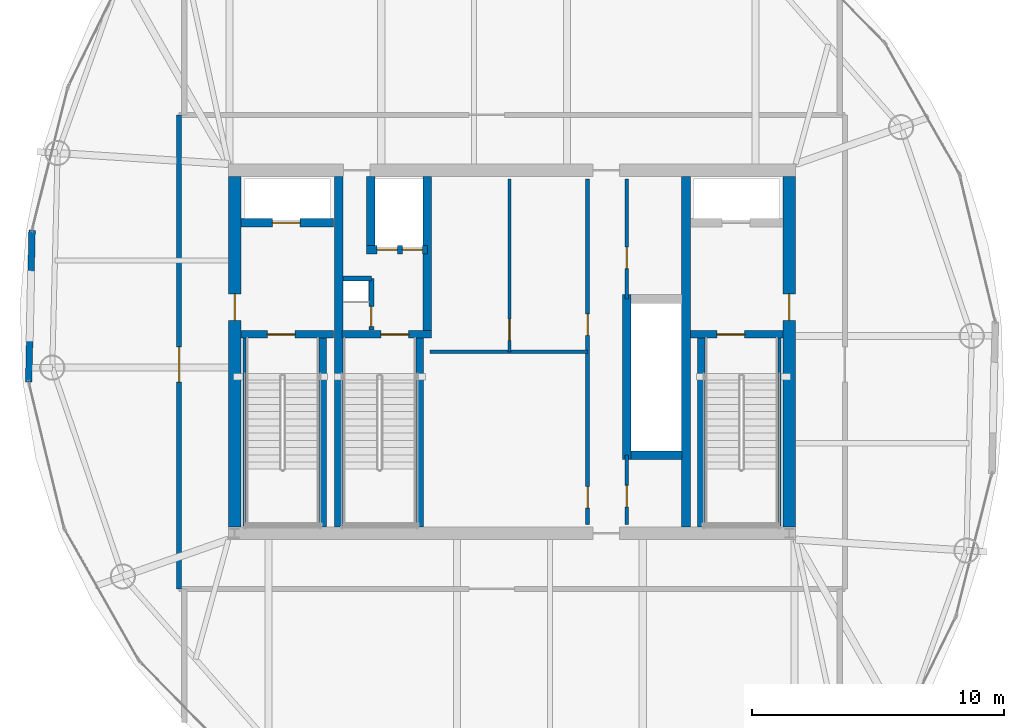
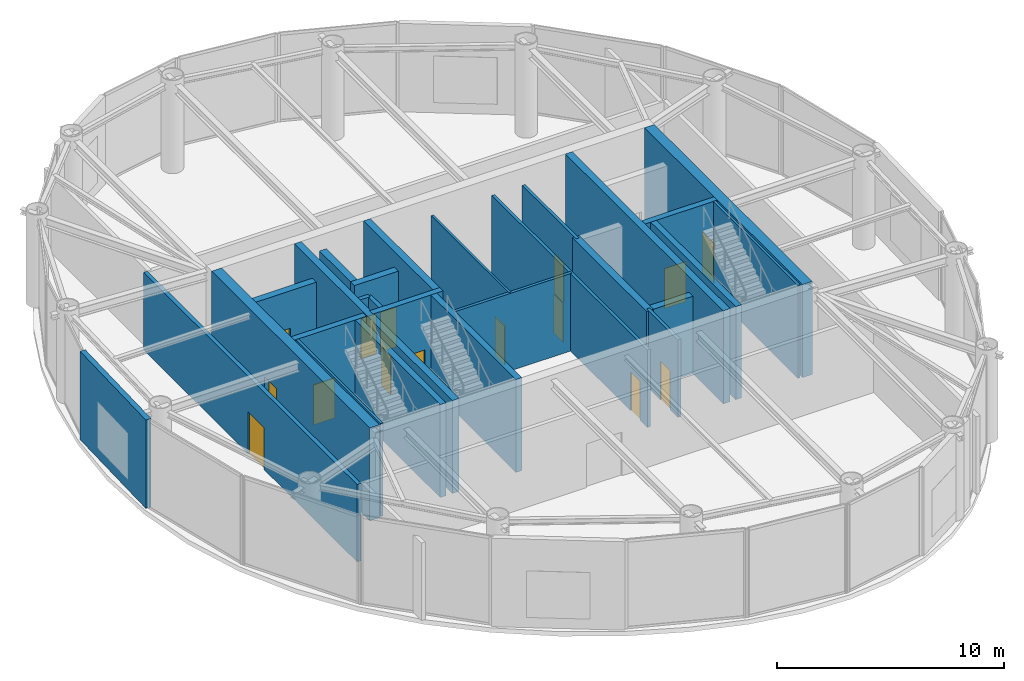
# One storey, part 18 of 23: 27 walls, 15 doors, 15 openings.
"""IFC4 building model written with IfcOpenShell, lengths in metres."""

from ifc_helpers import new_model, si_unit, direction, frame, frame_2d, origin, place, context, subcontext, project, spatial, rectangle, extrude, material, layer, layer_set, type_object, element, fill, save


model = new_model("IFC4")

# Units and contexts
model_context = context("Model", 3, precision=1e-05, world=origin(), true_north=direction((0.0, 1.0)))
body_context = subcontext(model_context, "Body", "Model", "MODEL_VIEW")
ifc_project = project(units=[si_unit("LENGTHUNIT", "METRE"), si_unit("AREAUNIT", "SQUARE_METRE"), si_unit("VOLUMEUNIT", "CUBIC_METRE"), si_unit("PLANEANGLEUNIT", "RADIAN"), si_unit("MASSUNIT", "GRAM", prefix="KILO")], contexts=[model_context])

# Site, building, storey
site_placement = place(None, origin())
site = spatial("IfcSite", under=ifc_project, at=site_placement, CompositionType="ELEMENT")
building_placement = place(site_placement, origin())
building = spatial("IfcBuilding", under=site, at=building_placement, Name="Bramvorn Convention Spire", CompositionType="ELEMENT")
storey_placement = place(building_placement, frame((0.0, 0.0, 307.5)))
storey = spatial("IfcBuildingStorey", under=building, at=storey_placement, Name="L78", CompositionType="ELEMENT", Elevation=307.5)

# Wall, opening, door
ifc_material_1 = material(Name="Concrete C50/60", Category="concrete")
ifc_layer_1 = layer(ifc_material_1, 0.5)
ifc_layer_set_1 = layer_set([ifc_layer_1], Name="Concrete C50/60 - WL-CORE-500")
wall_type_1 = type_object("IfcWallType", Name="WL-CORE-500", PredefinedType="SHEAR", material=ifc_layer_set_1)
wall_1_placement = place(storey_placement, frame((27.0, 19.050048828125, 0.0), z_axis=(0.0, 0.0, 1.0), x_axis=(0.0, 1.0, 0.0)))
wall_1 = element("IfcWall", 1, at=wall_1_placement, inside=storey, type_object=wall_type_1, Name="L78 West RC core shear wall", PredefinedType="SHEAR", context=body_context, shape_type="SweptSolid", body=[
    extrude(rectangle(XDim=13.89990234375, YDim=0.5, at=frame_2d((6.949951171875, 0.0))), origin(), (0.0, 0.0, 1.0), 5.0),
])
opening_1_placement = place(wall_1_placement, frame((8.199951171875, 0.0, 0.0)))
opening_1 = element("IfcOpeningElement", 2, at=opening_1_placement, cuts=wall_1, Name="Opening DL-105", PredefinedType="OPENING", context=body_context, shape_type="SweptSolid", body=[
    extrude(rectangle(XDim=1.050048828125, YDim=2.14990234375, at=frame_2d((0.52490234375, 1.074951171875))), frame((0.0, 0.260009765625, 0.0), z_axis=(0.0, -1.0, 0.0), x_axis=(1.0, 0.0, 0.0)), (0.0, 0.0, 1.0), 0.52001953125),
])
ifc_material_2 = material(Name="Smoke-Sealed Fire Lobby Timber-Core Door", Category="wood")
door_type_1 = type_object("IfcDoorType", Name="DR-LOBBY-1050", OperationType="NOTDEFINED", PredefinedType="DOOR", material=ifc_material_2)
door_1_placement = place(opening_1_placement, origin())
door_1 = element("IfcDoor", 3, at=door_1_placement, inside=storey, type_object=door_type_1, Name="L78 West Firefighting Lobby corridor door", OperationType="SINGLE_SWING_RIGHT", OverallHeight=2.14990234375, OverallWidth=1.050048828125, PredefinedType="DOOR", context=body_context, shape_type="SweptSolid", body=[
    extrude(rectangle(XDim=1.050048828125, YDim=2.14990234375, at=frame_2d((0.52490234375, 1.074951171875))), frame((0.0, 0.02490234375, 0.0), z_axis=(0.0, -1.0, 0.0), x_axis=(1.0, 0.0, 0.0)), (0.0, 0.0, 1.0), 0.050048828125),
])
fill(opening_1, door_1)

wall_2_placement = place(storey_placement, frame((49.0, 19.050048828125, 0.0), z_axis=(0.0, 0.0, 1.0), x_axis=(0.0, 1.0, 0.0)))
wall_2 = element("IfcWall", 4, at=wall_2_placement, inside=storey, type_object=wall_type_1, Name="L78 East RC core shear wall", PredefinedType="SHEAR", context=body_context, shape_type="SweptSolid", body=[
    extrude(rectangle(XDim=13.89990234375, YDim=0.5, at=frame_2d((6.949951171875, 0.0))), origin(), (0.0, 0.0, 1.0), 5.0),
])
opening_2_placement = place(wall_2_placement, frame((8.199951171875, 0.0, 0.0)))
opening_2 = element("IfcOpeningElement", 5, at=opening_2_placement, cuts=wall_2, Name="Opening DL-105", PredefinedType="OPENING", context=body_context, shape_type="SweptSolid", body=[
    extrude(rectangle(XDim=1.050048828125, YDim=2.14990234375, at=frame_2d((0.52490234375, 1.074951171875))), frame((0.0, 0.260009765625, 0.0), z_axis=(0.0, -1.0, 0.0), x_axis=(1.0, 0.0, 0.0)), (0.0, 0.0, 1.0), 0.52001953125),
])
door_2_placement = place(opening_2_placement, origin())
door_2 = element("IfcDoor", 6, at=door_2_placement, inside=storey, type_object=door_type_1, Name="L78 East Firefighting Lobby corridor door", OperationType="SINGLE_SWING_LEFT", OverallHeight=2.14990234375, OverallWidth=1.050048828125, PredefinedType="DOOR", context=body_context, shape_type="SweptSolid", body=[
    extrude(rectangle(XDim=1.050048828125, YDim=2.14990234375, at=frame_2d((0.52490234375, 1.074951171875))), frame((0.0, 0.02490234375, 0.0), z_axis=(0.0, -1.0, 0.0), x_axis=(1.0, 0.0, 0.0)), (0.0, 0.0, 1.0), 0.050048828125),
])
fill(opening_2, door_2)

# Walls
ifc_layer_2 = layer(ifc_material_1, 0.35009765625)
ifc_layer_set_2 = layer_set([ifc_layer_2], Name="Concrete C50/60 - WL-CORE-INT-350")
wall_type_2 = type_object("IfcWallType", Name="WL-CORE-INT-350", PredefinedType="SHEAR", material=ifc_layer_set_2)
for number, where, z_axis, x_axis, name in (
    (7, (31.1298828125, 19.050048828125, 0.0), (0.0, 0.0, 1.0), (0.0, 1.0, 0.0), "L78 West internal core shear web"),
    (8, (44.89990234375, 19.050048828125, 0.0), (0.0, 0.0, 1.0), (0.0, 1.0, 0.0), "L78 East internal core shear web"),
):
    element("IfcWall", number, at=place(storey_placement, frame(where, z_axis=z_axis, x_axis=x_axis)), inside=storey, type_object=wall_type_2, Name=name, PredefinedType="SHEAR", context=body_context, shape_type="SweptSolid", body=[
        extrude(rectangle(XDim=13.89990234375, YDim=0.35009765625, at=frame_2d((6.949951171875, 0.0))), origin(), (0.0, 0.0, 1.0), 5.0),
    ])

# Wall, opening, door
wall_3_placement = place(storey_placement, frame((27.25, 31.1201171875, 0.0), z_axis=(0.0, 0.0, 1.0), x_axis=(1.0, 0.0, 0.0)))
wall_3 = element("IfcWall", 9, at=wall_3_placement, inside=storey, type_object=wall_type_2, Name="L78 FE1 shaft front wall", PredefinedType="SHEAR", context=body_context, shape_type="SweptSolid", body=[
    extrude(rectangle(XDim=3.669921875, YDim=0.35009765625, at=frame_2d((1.8349609375, 0.0))), origin(), (0.0, 0.0, 1.0), 4.1650390625),
])
opening_3_placement = place(wall_3_placement, frame((1.25, 0.0, 0.0)))
opening_3 = element("IfcOpeningElement", 10, at=opening_3_placement, cuts=wall_3, Name="Opening LD-110", PredefinedType="OPENING", context=body_context, shape_type="SweptSolid", body=[
    extrude(rectangle(XDim=1.10009765625, YDim=2.14990234375, at=frame_2d((0.550048828125, 1.074951171875))), frame((0.0, 0.18505859375, 0.0), z_axis=(0.0, -1.0, 0.0), x_axis=(1.0, 0.0, 0.0)), (0.0, 0.0, 1.0), 0.3701171875),
])
ifc_material_3 = material(Name="Firefighting & Service Lift Sliding Landing Door", Category="steel")
door_type_2 = type_object("IfcDoorType", Name="DR-LIFT-LD-1100", OperationType="NOTDEFINED", PredefinedType="DOOR", material=ifc_material_3)
door_3_placement = place(opening_3_placement, origin())
door_3 = element("IfcDoor", 11, at=door_3_placement, inside=storey, type_object=door_type_2, Name="L78 Lift FE1 Sliding Landing Door", OperationType="SLIDING_TO_LEFT", OverallHeight=2.14990234375, OverallWidth=1.10009765625, PredefinedType="DOOR", context=body_context, shape_type="SweptSolid", body=[
    extrude(rectangle(XDim=1.10009765625, YDim=2.14990234375, at=frame_2d((0.550048828125, 1.074951171875))), frame((0.0, 0.02490234375, 0.0), z_axis=(0.0, -1.0, 0.0), x_axis=(1.0, 0.0, 0.0)), (0.0, 0.0, 1.0), 0.050048828125),
])
fill(opening_3, door_3)

# Wall
wall_4_placement = place(storey_placement, frame((34.639892578125, 26.68994140625, 0.0), z_axis=(0.0, 0.0, 1.0), x_axis=(0.0, 1.0, 0.0)))
element("IfcWall", 12, at=wall_4_placement, inside=storey, type_object=wall_type_2, Name="L78 SV east core shaft wall", PredefinedType="SHEAR", context=body_context, shape_type="SweptSolid", body=[
    extrude(rectangle(XDim=6.260009765625, YDim=0.35009765625, at=frame_2d((3.1298828125, 0.0))), origin(), (0.0, 0.0, 1.0), 5.0),
])

# Wall, openings, doors
wall_5_placement = place(storey_placement, frame((32.22998046875, 30.050048828125, 0.0), z_axis=(0.0, 0.0, 1.0), x_axis=(1.0, 0.0, 0.0)))
wall_5 = element("IfcWall", 13, at=wall_5_placement, inside=storey, type_object=wall_type_2, Name="L78 SV1/SV2 shaft front wall", PredefinedType="SHEAR", context=body_context, shape_type="SweptSolid", body=[
    extrude(rectangle(XDim=2.409912109375, YDim=0.35009765625, at=frame_2d((1.205078125, 0.0))), origin(), (0.0, 0.0, 1.0), 4.1650390625),
])
opening_4_placement = place(wall_5_placement, frame((0.419921875, 0.0, 0.0)))
opening_4 = element("IfcOpeningElement", 14, at=opening_4_placement, cuts=wall_5, Name="Opening LD-080", PredefinedType="OPENING", context=body_context, shape_type="SweptSolid", body=[
    extrude(rectangle(XDim=0.800048828125, YDim=2.14990234375, at=frame_2d((0.39990234375, 1.074951171875))), frame((0.0, 0.18505859375, 0.0), z_axis=(0.0, -1.0, 0.0), x_axis=(1.0, 0.0, 0.0)), (0.0, 0.0, 1.0), 0.3701171875),
])
opening_5_placement = place(wall_5_placement, frame((1.419921875, 0.0, 0.0)))
opening_5 = element("IfcOpeningElement", 15, at=opening_5_placement, cuts=wall_5, Name="Opening LD-080", PredefinedType="OPENING", context=body_context, shape_type="SweptSolid", body=[
    extrude(rectangle(XDim=0.800048828125, YDim=2.14990234375, at=frame_2d((0.39990234375, 1.074951171875))), frame((0.0, 0.18505859375, 0.0), z_axis=(0.0, -1.0, 0.0), x_axis=(1.0, 0.0, 0.0)), (0.0, 0.0, 1.0), 0.3701171875),
])
ifc_material_4 = material(Name="Service Lift Bi-Parting Landing Door", Category="steel")
door_type_3 = type_object("IfcDoorType", Name="DR-LIFT-LD-800", OperationType="NOTDEFINED", PredefinedType="DOOR", material=ifc_material_4)
door_4_placement = place(opening_4_placement, origin())
door_4 = element("IfcDoor", 16, at=door_4_placement, inside=storey, type_object=door_type_3, Name="L78 Lift SV1 Sliding Landing Door", OperationType="SLIDING_TO_LEFT", OverallHeight=2.14990234375, OverallWidth=0.800048828125, PredefinedType="DOOR", context=body_context, shape_type="SweptSolid", body=[
    extrude(rectangle(XDim=0.800048828125, YDim=2.14990234375, at=frame_2d((0.39990234375, 1.074951171875))), frame((0.0, 0.02490234375, 0.0), z_axis=(0.0, -1.0, 0.0), x_axis=(1.0, 0.0, 0.0)), (0.0, 0.0, 1.0), 0.050048828125),
])
fill(opening_4, door_4)
door_5_placement = place(opening_5_placement, origin())
door_5 = element("IfcDoor", 17, at=door_5_placement, inside=storey, type_object=door_type_3, Name="L78 Lift SV2 Sliding Landing Door", OperationType="SLIDING_TO_LEFT", OverallHeight=2.14990234375, OverallWidth=0.800048828125, PredefinedType="DOOR", context=body_context, shape_type="SweptSolid", body=[
    extrude(rectangle(XDim=0.800048828125, YDim=2.14990234375, at=frame_2d((0.39990234375, 1.074951171875))), frame((0.0, 0.02490234375, 0.0), z_axis=(0.0, -1.0, 0.0), x_axis=(1.0, 0.0, 0.0)), (0.0, 0.0, 1.0), 0.050048828125),
])
fill(opening_5, door_5)

# Walls
wall_6_placement = place(storey_placement, frame((32.39990234375, 30.219970703125, 0.0), z_axis=(0.0, 0.0, 1.0), x_axis=(0.0, 1.0, 0.0)))
element("IfcWall", 18, at=wall_6_placement, inside=storey, type_object=wall_type_2, Name="L78 SV1 west hoistway wall", PredefinedType="SHEAR", context=body_context, shape_type="SweptSolid", body=[
    extrude(rectangle(XDim=2.72998046875, YDim=0.35009765625, at=frame_2d((1.364990234375, 0.0))), origin(), (0.0, 0.0, 1.0), 4.1650390625),
])
wall_7_placement = place(storey_placement, frame((42.550048828125, 21.72998046875, 0.0), z_axis=(0.0, 0.0, 1.0), x_axis=(0.0, 1.0, 0.0)))
element("IfcWall", 19, at=wall_7_placement, inside=storey, type_object=wall_type_2, Name="L78 High-rise lift bank west wall", PredefinedType="SHEAR", context=body_context, shape_type="SweptSolid", body=[
    extrude(rectangle(XDim=6.5400390625, YDim=0.35009765625, at=frame_2d((3.27001953125, 0.0))), origin(), (0.0, 0.0, 1.0), 4.1650390625),
])
wall_8_placement = place(storey_placement, frame((42.719970703125, 21.89990234375, 0.0), z_axis=(0.0, 0.0, 1.0), x_axis=(1.0, 0.0, 0.0)))
element("IfcWall", 20, at=wall_8_placement, inside=storey, type_object=wall_type_2, Name="L78 High-rise lift bank south wall", PredefinedType="SHEAR", context=body_context, shape_type="SweptSolid", body=[
    extrude(rectangle(XDim=2.030029296875, YDim=0.35009765625, at=frame_2d((1.01513671875, 0.0))), origin(), (0.0, 0.0, 1.0), 4.1650390625),
])
ifc_material_5 = material(Name="Precast Concrete C40/50 Insulated Terrace Wall", Category="concrete")
ifc_layer_3 = layer(ifc_material_5, 0.280029296875)
ifc_layer_set_3 = layer_set([ifc_layer_3], Name="Precast Concrete C40/50 Insulated Terrace Wall - WL-EXT-TERR-280")
wall_type_3 = type_object("IfcWallType", Name="WL-EXT-TERR-280", PredefinedType="SOLIDWALL", material=ifc_layer_set_3)
wall_9_placement = place(storey_placement, frame((18.83203125, 24.807861328125, 0.0), z_axis=(0.0, 0.0, 1.0), x_axis=(0.022040034886, 0.999757088928, 0.0)))
element("IfcWall", 21, at=wall_9_placement, inside=storey, type_object=wall_type_3, Name="L78 plant floor acoustic louvre breast wall 17", PredefinedType="SOLIDWALL", context=body_context, shape_type="SweptSolid", body=[
    extrude(rectangle(XDim=6.014892578125, YDim=0.260009765625, at=frame_2d((3.00732421875, 0.0))), origin(), (0.0, 0.0, 1.0), 4.75),
])

# Wall, opening, door
ifc_material_6 = material(Name="Lightweight En-Suite & Wet-Wall Partition", Category="gypsum")
ifc_layer_4 = layer(ifc_material_6, 0.110107421875)
ifc_layer_set_4 = layer_set([ifc_layer_4], Name="Lightweight En-Suite & Wet-Wall Partition - WL-PART-110")
wall_type_4 = type_object("IfcWallType", Name="WL-PART-110", PredefinedType="PARTITIONING", material=ifc_layer_set_4)
wall_10_placement = place(storey_placement, frame((37.89990234375, 26.0, 0.0), z_axis=(0.0, 0.0, 1.0), x_axis=(0.0, 1.0, 0.0)))
wall_10 = element("IfcWall", 22, at=wall_10_placement, inside=storey, type_object=wall_type_4, Name="L78 Core restroom subwall", PredefinedType="PARTITIONING", context=body_context, shape_type="SweptSolid", body=[
    extrude(rectangle(XDim=6.85009765625, YDim=0.110107421875, at=frame_2d((3.425048828125, 0.0))), origin(), (0.0, 0.0, 1.0), 4.1650390625),
])
opening_6_placement = place(wall_10_placement, frame((0.449951171875, 0.0, 0.0)))
opening_6 = element("IfcOpeningElement", 23, at=opening_6_placement, cuts=wall_10, Name="Opening DC-085", PredefinedType="OPENING", context=body_context, shape_type="SweptSolid", body=[
    extrude(rectangle(XDim=0.85009765625, YDim=2.10009765625, at=frame_2d((0.425048828125, 1.050048828125))), frame((0.0, 0.06494140625, 0.0), z_axis=(0.0, -1.0, 0.0), x_axis=(1.0, 0.0, 0.0)), (0.0, 0.0, 1.0), 0.130126953125),
])
ifc_material_7 = material(Name="Fire-Rated Core Washroom & IDF Door", Category="wood")
door_type_4 = type_object("IfcDoorType", Name="DR-CORE-850", OperationType="NOTDEFINED", PredefinedType="DOOR", material=ifc_material_7)
door_6_placement = place(opening_6_placement, origin())
door_6 = element("IfcDoor", 24, at=door_6_placement, inside=storey, type_object=door_type_4, Name="L78 Core telecom store door", OperationType="SINGLE_SWING_LEFT", OverallHeight=2.10009765625, OverallWidth=0.85009765625, PredefinedType="DOOR", context=body_context, shape_type="SweptSolid", body=[
    extrude(rectangle(XDim=0.85009765625, YDim=2.10009765625, at=frame_2d((0.425048828125, 1.050048828125))), frame((0.0, 0.02490234375, 0.0), z_axis=(0.0, -1.0, 0.0), x_axis=(1.0, 0.0, 0.0)), (0.0, 0.0, 1.0), 0.050048828125),
])
fill(opening_6, door_6)

# Wall, openings, doors
ifc_material_8 = material(Name="Acoustic Metal-Stud Tenant/Corridor Partition", Category="gypsum")
ifc_layer_5 = layer(ifc_material_8, 0.14990234375)
ifc_layer_set_5 = layer_set([ifc_layer_5], Name="Acoustic Metal-Stud Tenant/Corridor Partition - WL-PART-150")
wall_type_5 = type_object("IfcWallType", Name="WL-PART-150", PredefinedType="PARTITIONING", material=ifc_layer_set_5)
wall_11_placement = place(storey_placement, frame((41.0, 19.14990234375, 0.0), z_axis=(0.0, 0.0, 1.0), x_axis=(0.0, 1.0, 0.0)))
wall_11 = element("IfcWall", 25, at=wall_11_placement, inside=storey, type_object=wall_type_5, Name="L78 Core room east wall", PredefinedType="PARTITIONING", context=body_context, shape_type="SweptSolid", body=[
    extrude(rectangle(XDim=13.7001953125, YDim=0.14990234375, at=frame_2d((6.85009765625, 0.0))), origin(), (0.0, 0.0, 1.0), 4.1650390625),
])
opening_7_placement = place(wall_11_placement, frame((0.64990234375, 0.0, 0.0)))
opening_7 = element("IfcOpeningElement", 26, at=opening_7_placement, cuts=wall_11, Name="Opening DC-085", PredefinedType="OPENING", context=body_context, shape_type="SweptSolid", body=[
    extrude(rectangle(XDim=0.85009765625, YDim=2.10009765625, at=frame_2d((0.425048828125, 1.050048828125))), frame((0.0, 0.0849609375, 0.0), z_axis=(0.0, -1.0, 0.0), x_axis=(1.0, 0.0, 0.0)), (0.0, 0.0, 1.0), 0.169921875),
])
opening_8_placement = place(wall_11_placement, frame((7.5, 0.0, 0.0)))
opening_8 = element("IfcOpeningElement", 27, at=opening_8_placement, cuts=wall_11, Name="Opening DC-085", PredefinedType="OPENING", context=body_context, shape_type="SweptSolid", body=[
    extrude(rectangle(XDim=0.85009765625, YDim=2.10009765625, at=frame_2d((0.425048828125, 1.050048828125))), frame((0.0, 0.0849609375, 0.0), z_axis=(0.0, -1.0, 0.0), x_axis=(1.0, 0.0, 0.0)), (0.0, 0.0, 1.0), 0.169921875),
])
door_7_placement = place(opening_7_placement, origin())
door_7 = element("IfcDoor", 28, at=door_7_placement, inside=storey, type_object=door_type_4, Name="L78 Core room 1 door", OperationType="SINGLE_SWING_LEFT", OverallHeight=2.10009765625, OverallWidth=0.85009765625, PredefinedType="DOOR", context=body_context, shape_type="SweptSolid", body=[
    extrude(rectangle(XDim=0.85009765625, YDim=2.10009765625, at=frame_2d((0.425048828125, 1.050048828125))), frame((0.0, 0.02490234375, 0.0), z_axis=(0.0, -1.0, 0.0), x_axis=(1.0, 0.0, 0.0)), (0.0, 0.0, 1.0), 0.050048828125),
])
fill(opening_7, door_7)
door_8_placement = place(opening_8_placement, origin())
door_8 = element("IfcDoor", 29, at=door_8_placement, inside=storey, type_object=door_type_4, Name="L78 Core room 2 door", OperationType="SINGLE_SWING_LEFT", OverallHeight=2.10009765625, OverallWidth=0.85009765625, PredefinedType="DOOR", context=body_context, shape_type="SweptSolid", body=[
    extrude(rectangle(XDim=0.85009765625, YDim=2.10009765625, at=frame_2d((0.425048828125, 1.050048828125))), frame((0.0, 0.02490234375, 0.0), z_axis=(0.0, -1.0, 0.0), x_axis=(1.0, 0.0, 0.0)), (0.0, 0.0, 1.0), 0.050048828125),
])
fill(opening_8, door_8)

# Wall
wall_12_placement = place(storey_placement, frame((34.75, 26.0, 0.0), z_axis=(0.0, 0.0, 1.0), x_axis=(1.0, 0.0, 0.0)))
element("IfcWall", 30, at=wall_12_placement, inside=storey, type_object=wall_type_5, Name="L78 Core room divider", PredefinedType="PARTITIONING", context=body_context, shape_type="SweptSolid", body=[
    extrude(rectangle(XDim=6.25, YDim=0.14990234375, at=frame_2d((3.125, 0.0))), origin(), (0.0, 0.0, 1.0), 4.1650390625),
])

# Wall, opening, door
wall_13_placement = place(storey_placement, frame((42.550048828125, 28.10009765625, 0.0), z_axis=(0.0, 0.0, 1.0), x_axis=(0.0, 1.0, 0.0)))
wall_13 = element("IfcWall", 31, at=wall_13_placement, inside=storey, type_object=wall_type_5, Name="L78 Core NE store wall", PredefinedType="PARTITIONING", context=body_context, shape_type="SweptSolid", body=[
    extrude(rectangle(XDim=4.75, YDim=0.14990234375, at=frame_2d((2.375, 0.0))), origin(), (0.0, 0.0, 1.0), 4.1650390625),
])
opening_9_placement = place(wall_13_placement, frame((1.199951171875, 0.0, 0.0)))
opening_9 = element("IfcOpeningElement", 32, at=opening_9_placement, cuts=wall_13, Name="Opening DC-085", PredefinedType="OPENING", context=body_context, shape_type="SweptSolid", body=[
    extrude(rectangle(XDim=0.85009765625, YDim=2.10009765625, at=frame_2d((0.425048828125, 1.050048828125))), frame((0.0, 0.0849609375, 0.0), z_axis=(0.0, -1.0, 0.0), x_axis=(1.0, 0.0, 0.0)), (0.0, 0.0, 1.0), 0.169921875),
])
door_9_placement = place(opening_9_placement, origin())
door_9 = element("IfcDoor", 33, at=door_9_placement, inside=storey, type_object=door_type_4, Name="L78 Core NE store door", OperationType="SINGLE_SWING_LEFT", OverallHeight=2.10009765625, OverallWidth=0.85009765625, PredefinedType="DOOR", context=body_context, shape_type="SweptSolid", body=[
    extrude(rectangle(XDim=0.85009765625, YDim=2.10009765625, at=frame_2d((0.425048828125, 1.050048828125))), frame((0.0, 0.02490234375, 0.0), z_axis=(0.0, -1.0, 0.0), x_axis=(1.0, 0.0, 0.0)), (0.0, 0.0, 1.0), 0.050048828125),
])
fill(opening_9, door_9)

wall_14_placement = place(storey_placement, frame((42.550048828125, 19.14990234375, 0.0), z_axis=(0.0, 0.0, 1.0), x_axis=(0.0, 1.0, 0.0)))
wall_14 = element("IfcWall", 34, at=wall_14_placement, inside=storey, type_object=wall_type_5, Name="L78 Core SE riser wall", PredefinedType="PARTITIONING", context=body_context, shape_type="SweptSolid", body=[
    extrude(rectangle(XDim=2.75, YDim=0.14990234375, at=frame_2d((1.375, 0.0))), origin(), (0.0, 0.0, 1.0), 4.1650390625),
])
opening_10_placement = place(wall_14_placement, frame((0.699951171875, 0.0, 0.0)))
opening_10 = element("IfcOpeningElement", 35, at=opening_10_placement, cuts=wall_14, Name="Opening DC-085", PredefinedType="OPENING", context=body_context, shape_type="SweptSolid", body=[
    extrude(rectangle(XDim=0.85009765625, YDim=2.10009765625, at=frame_2d((0.425048828125, 1.050048828125))), frame((0.0, 0.0849609375, 0.0), z_axis=(0.0, -1.0, 0.0), x_axis=(1.0, 0.0, 0.0)), (0.0, 0.0, 1.0), 0.169921875),
])
door_10_placement = place(opening_10_placement, origin())
door_10 = element("IfcDoor", 36, at=door_10_placement, inside=storey, type_object=door_type_4, Name="L78 Core SE riser door", OperationType="SINGLE_SWING_LEFT", OverallHeight=2.10009765625, OverallWidth=0.85009765625, PredefinedType="DOOR", context=body_context, shape_type="SweptSolid", body=[
    extrude(rectangle(XDim=0.85009765625, YDim=2.10009765625, at=frame_2d((0.425048828125, 1.050048828125))), frame((0.0, 0.02490234375, 0.0), z_axis=(0.0, -1.0, 0.0), x_axis=(1.0, 0.0, 0.0)), (0.0, 0.0, 1.0), 0.050048828125),
])
fill(opening_10, door_10)

ifc_material_9 = material(Name="Gypsum Shaftwall & Rockwool Core Partition", Category="gypsum")
ifc_layer_6 = layer(ifc_material_9, 0.199951171875)
ifc_layer_set_6 = layer_set([ifc_layer_6], Name="Gypsum Shaftwall & Rockwool Core Partition - WL-PART-200-FR")
wall_type_6 = type_object("IfcWallType", Name="WL-PART-200-FR", PredefinedType="PARTITIONING", material=ifc_layer_set_6)
wall_15_placement = place(storey_placement, frame((32.419921875, 26.860107421875, 0.0), z_axis=(0.0, 0.0, 1.0), x_axis=(0.0, 1.0, 0.0)))
wall_15 = element("IfcWall", 37, at=wall_15_placement, inside=storey, type_object=wall_type_6, Name="L78 Telecom riser east wall", PredefinedType="PARTITIONING", context=body_context, shape_type="SweptSolid", body=[
    extrude(rectangle(XDim=2.039794921875, YDim=0.199951171875, at=frame_2d((1.02001953125, 0.0))), origin(), (0.0, 0.0, 1.0), 4.1650390625),
])
opening_11_placement = place(wall_15_placement, frame((0.139892578125, 0.0, 0.0)))
opening_11 = element("IfcOpeningElement", 38, at=opening_11_placement, cuts=wall_15, Name="Opening DR-080", PredefinedType="OPENING", context=body_context, shape_type="SweptSolid", body=[
    extrude(rectangle(XDim=0.800048828125, YDim=2.050048828125, at=frame_2d((0.39990234375, 1.02490234375))), frame((0.0, 0.10986328125, 0.0), z_axis=(0.0, -1.0, 0.0), x_axis=(1.0, 0.0, 0.0)), (0.0, 0.0, 1.0), 0.219970703125),
])
ifc_material_10 = material(Name="Flush Steel Riser Access Door", Category="steel")
door_type_5 = type_object("IfcDoorType", Name="DR-RISER-800", OperationType="NOTDEFINED", PredefinedType="DOOR", material=ifc_material_10)
door_11_placement = place(opening_11_placement, origin())
door_11 = element("IfcDoor", 39, at=door_11_placement, inside=storey, type_object=door_type_5, Name="L78 Telecom riser access door", OperationType="SINGLE_SWING_RIGHT", OverallHeight=2.050048828125, OverallWidth=0.800048828125, PredefinedType="DOOR", context=body_context, shape_type="SweptSolid", body=[
    extrude(rectangle(XDim=0.800048828125, YDim=2.050048828125, at=frame_2d((0.39990234375, 1.02490234375))), frame((0.0, 0.02490234375, 0.0), z_axis=(0.0, -1.0, 0.0), x_axis=(1.0, 0.0, 0.0)), (0.0, 0.0, 1.0), 0.050048828125),
])
fill(opening_11, door_11)

# Wall
wall_16_placement = place(storey_placement, frame((31.300048828125, 28.89990234375, 0.0), z_axis=(0.0, 0.0, 1.0), x_axis=(1.0, 0.0, 0.0)))
element("IfcWall", 40, at=wall_16_placement, inside=storey, type_object=wall_type_6, Name="L78 Telecom riser north wall", PredefinedType="PARTITIONING", context=body_context, shape_type="SweptSolid", body=[
    extrude(rectangle(XDim=1.119873046875, YDim=0.199951171875, at=frame_2d((0.56005859375, 0.0))), origin(), (0.0, 0.0, 1.0), 4.1650390625),
])

# Wall, opening, door
wall_17_placement = place(storey_placement, frame((24.800048828125, 16.60009765625, 0.0), z_axis=(0.0, 0.0, 1.0), x_axis=(0.0, 1.0, 0.0)))
wall_17 = element("IfcWall", 41, at=wall_17_placement, inside=storey, type_object=wall_type_6, Name="L78 Plant corridor west wall", PredefinedType="PARTITIONING", context=body_context, shape_type="SweptSolid", body=[
    extrude(rectangle(XDim=18.7998046875, YDim=0.199951171875, at=frame_2d((9.39990234375, 0.0))), origin(), (0.0, 0.0, 1.0), 4.1650390625),
])
opening_12_placement = place(wall_17_placement, frame((8.199951171875, 0.0, 0.0)))
opening_12 = element("IfcOpeningElement", 42, at=opening_12_placement, cuts=wall_17, Name="Opening DP-140", PredefinedType="OPENING", context=body_context, shape_type="SweptSolid", body=[
    extrude(rectangle(XDim=1.39990234375, YDim=2.25, at=frame_2d((0.699951171875, 1.125))), frame((0.0, 0.10986328125, 0.0), z_axis=(0.0, -1.0, 0.0), x_axis=(1.0, 0.0, 0.0)), (0.0, 0.0, 1.0), 0.219970703125),
])
ifc_material_11 = material(Name="Heavy-Duty Acoustic Louvre Plant Room Door", Category="steel")
door_type_6 = type_object("IfcDoorType", Name="DR-PLANT-1400", OperationType="NOTDEFINED", PredefinedType="DOOR", material=ifc_material_11)
door_12_placement = place(opening_12_placement, origin())
door_12 = element("IfcDoor", 43, at=door_12_placement, inside=storey, type_object=door_type_6, Name="L78 Hydronic Booster & Heat-Exchanger Plant door", OperationType="DOUBLE_DOOR_SINGLE_SWING", OverallHeight=2.25, OverallWidth=1.39990234375, PredefinedType="DOOR", context=body_context, shape_type="SweptSolid", body=[
    extrude(rectangle(XDim=1.39990234375, YDim=2.25, at=frame_2d((0.699951171875, 1.125))), frame((0.0, 0.02490234375, 0.0), z_axis=(0.0, -1.0, 0.0), x_axis=(1.0, 0.0, 0.0)), (0.0, 0.0, 1.0), 0.050048828125),
])
fill(opening_12, door_12)

ifc_layer_7 = layer(ifc_material_1, 0.300048828125)
ifc_layer_set_7 = layer_set([ifc_layer_7], Name="Concrete C50/60 - WL-POD-STAIR-300")
wall_type_7 = type_object("IfcWallType", Name="WL-POD-STAIR-300", PredefinedType="SHEAR", material=ifc_layer_set_7)
wall_18_placement = place(storey_placement, frame((27.25, 26.68994140625, 0.0), z_axis=(0.0, 0.0, 1.0), x_axis=(1.0, 0.0, 0.0)))
wall_18 = element("IfcWall", 44, at=wall_18_placement, inside=storey, type_object=wall_type_7, Name="L78 ST1 north fire wall", PredefinedType="SHEAR", context=body_context, shape_type="SweptSolid", body=[
    extrude(rectangle(XDim=3.669921875, YDim=0.300048828125, at=frame_2d((1.8349609375, 0.0))), origin(), (0.0, 0.0, 1.0), 5.0),
])
opening_13_placement = place(wall_18_placement, frame((1.050048828125, 0.0, 0.0)))
opening_13 = element("IfcOpeningElement", 45, at=opening_13_placement, cuts=wall_18, Name="Opening DS-110", PredefinedType="OPENING", context=body_context, shape_type="SweptSolid", body=[
    extrude(rectangle(XDim=1.10009765625, YDim=2.14990234375, at=frame_2d((0.550048828125, 1.074951171875))), frame((0.0, 0.159912109375, 0.0), z_axis=(0.0, -1.0, 0.0), x_axis=(1.0, 0.0, 0.0)), (0.0, 0.0, 1.0), 0.320068359375),
])
ifc_material_12 = material(Name="Fire-Rated Hollow Steel Stairwell Door", Category="steel")
door_type_7 = type_object("IfcDoorType", Name="DR-STAIR-1100", OperationType="NOTDEFINED", PredefinedType="DOOR", material=ifc_material_12)
door_13_placement = place(opening_13_placement, origin())
door_13 = element("IfcDoor", 46, at=door_13_placement, inside=storey, type_object=door_type_7, Name="L78 Stair ST1 fire door", OperationType="SINGLE_SWING_LEFT", OverallHeight=2.14990234375, OverallWidth=1.10009765625, PredefinedType="DOOR", context=body_context, shape_type="SweptSolid", body=[
    extrude(rectangle(XDim=1.10009765625, YDim=2.14990234375, at=frame_2d((0.550048828125, 1.074951171875))), frame((0.0, 0.02490234375, 0.0), z_axis=(0.0, -1.0, 0.0), x_axis=(1.0, 0.0, 0.0)), (0.0, 0.0, 1.0), 0.050048828125),
])
fill(opening_13, door_13)

# Wall
wall_19_placement = place(storey_placement, frame((30.489990234375, 19.050048828125, 0.0), z_axis=(0.0, 0.0, 1.0), x_axis=(0.0, 1.0, 0.0)))
element("IfcWall", 47, at=wall_19_placement, inside=storey, type_object=wall_type_7, Name="L78 ST1 east bearing wall", PredefinedType="SHEAR", context=body_context, shape_type="SweptSolid", body=[
    extrude(rectangle(XDim=7.5, YDim=0.300048828125, at=frame_2d((3.75, 0.0))), origin(), (0.0, 0.0, 1.0), 5.0),
])

# Wall, opening, door
wall_20_placement = place(storey_placement, frame((45.080078125, 26.68994140625, 0.0), z_axis=(0.0, 0.0, 1.0), x_axis=(1.0, 0.0, 0.0)))
wall_20 = element("IfcWall", 48, at=wall_20_placement, inside=storey, type_object=wall_type_7, Name="L78 ST2 north fire wall", PredefinedType="SHEAR", context=body_context, shape_type="SweptSolid", body=[
    extrude(rectangle(XDim=3.669921875, YDim=0.300048828125, at=frame_2d((1.8349609375, 0.0))), origin(), (0.0, 0.0, 1.0), 5.0),
])
opening_14_placement = place(wall_20_placement, frame((1.050048828125, 0.0, 0.0)))
opening_14 = element("IfcOpeningElement", 49, at=opening_14_placement, cuts=wall_20, Name="Opening DS-110", PredefinedType="OPENING", context=body_context, shape_type="SweptSolid", body=[
    extrude(rectangle(XDim=1.10009765625, YDim=2.14990234375, at=frame_2d((0.550048828125, 1.074951171875))), frame((0.0, 0.159912109375, 0.0), z_axis=(0.0, -1.0, 0.0), x_axis=(1.0, 0.0, 0.0)), (0.0, 0.0, 1.0), 0.320068359375),
])
door_14_placement = place(opening_14_placement, origin())
door_14 = element("IfcDoor", 50, at=door_14_placement, inside=storey, type_object=door_type_7, Name="L78 Stair ST2 fire door", OperationType="SINGLE_SWING_RIGHT", OverallHeight=2.14990234375, OverallWidth=1.10009765625, PredefinedType="DOOR", context=body_context, shape_type="SweptSolid", body=[
    extrude(rectangle(XDim=1.10009765625, YDim=2.14990234375, at=frame_2d((0.550048828125, 1.074951171875))), frame((0.0, 0.02490234375, 0.0), z_axis=(0.0, -1.0, 0.0), x_axis=(1.0, 0.0, 0.0)), (0.0, 0.0, 1.0), 0.050048828125),
])
fill(opening_14, door_14)

# Walls
for number, where, z_axis, x_axis, name in (
    (51, (45.510009765625, 19.050048828125, 0.0), (0.0, 0.0, 1.0), (0.0, 1.0, 0.0), "L78 ST2 west bearing wall"),
    (52, (34.340087890625, 19.050048828125, 0.0), (0.0, 0.0, 1.0), (0.0, 1.0, 0.0), "L78 ST3 east bearing wall"),
):
    element("IfcWall", number, at=place(storey_placement, frame(where, z_axis=z_axis, x_axis=x_axis)), inside=storey, type_object=wall_type_7, Name=name, PredefinedType="SHEAR", context=body_context, shape_type="SweptSolid", body=[
        extrude(rectangle(XDim=7.5, YDim=0.300048828125, at=frame_2d((3.75, 0.0))), origin(), (0.0, 0.0, 1.0), 5.0),
    ])

# Wall, opening, door
wall_21_placement = place(storey_placement, frame((31.25, 26.68994140625, 0.0), z_axis=(0.0, 0.0, 1.0), x_axis=(1.0, 0.0, 0.0)))
wall_21 = element("IfcWall", 53, at=wall_21_placement, inside=storey, type_object=wall_type_7, Name="L78 ST3 north lobby wall", PredefinedType="SHEAR", context=body_context, shape_type="SweptSolid", body=[
    extrude(rectangle(XDim=3.56005859375, YDim=0.300048828125, at=frame_2d((1.780029296875, 0.0))), origin(), (0.0, 0.0, 1.0), 5.0),
])
opening_15_placement = place(wall_21_placement, frame((1.550048828125, 0.0, 0.0)))
opening_15 = element("IfcOpeningElement", 54, at=opening_15_placement, cuts=wall_21, Name="Opening DS-110", PredefinedType="OPENING", context=body_context, shape_type="SweptSolid", body=[
    extrude(rectangle(XDim=1.10009765625, YDim=2.14990234375, at=frame_2d((0.550048828125, 1.074951171875))), frame((0.0, 0.159912109375, 0.0), z_axis=(0.0, -1.0, 0.0), x_axis=(1.0, 0.0, 0.0)), (0.0, 0.0, 1.0), 0.320068359375),
])
door_15_placement = place(opening_15_placement, origin())
door_15 = element("IfcDoor", 55, at=door_15_placement, inside=storey, type_object=door_type_7, Name="L78 Stair ST3 fire door", OperationType="SINGLE_SWING_LEFT", OverallHeight=2.14990234375, OverallWidth=1.10009765625, PredefinedType="DOOR", context=body_context, shape_type="SweptSolid", body=[
    extrude(rectangle(XDim=1.10009765625, YDim=2.14990234375, at=frame_2d((0.550048828125, 1.074951171875))), frame((0.0, 0.02490234375, 0.0), z_axis=(0.0, -1.0, 0.0), x_axis=(1.0, 0.0, 0.0)), (0.0, 0.0, 1.0), 0.050048828125),
])
fill(opening_15, door_15)

# Walls
ifc_layer_8 = layer(ifc_material_1, 0.1201171875)
ifc_layer_set_8 = layer_set([ifc_layer_8], Name="Concrete C50/60 - WL-STAIR-RC-120")
wall_type_8 = type_object("IfcWallType", Name="WL-STAIR-RC-120", PredefinedType="SHEAR", material=ifc_layer_set_8)
for number, where, z_axis, x_axis, name in (
    (56, (27.39501953125, 19.10009765625, 0.0), (0.0, 0.0, 1.0), (0.0, 1.0, 0.0), "L78 ST1 west bearing shear wall"),
    (57, (48.60498046875, 19.10009765625, 0.0), (0.0, 0.0, 1.0), (0.0, 1.0, 0.0), "L78 ST2 east bearing shear wall"),
):
    element("IfcWall", number, at=place(storey_placement, frame(where, z_axis=z_axis, x_axis=x_axis)), inside=storey, type_object=wall_type_8, Name=name, PredefinedType="SHEAR", context=body_context, shape_type="SweptSolid", body=[
        extrude(rectangle(XDim=7.449951171875, YDim=0.1201171875, at=frame_2d((3.72509765625, 0.0))), origin(), (0.0, 0.0, 1.0), 5.0),
    ])

save(model, "model.ifc")
